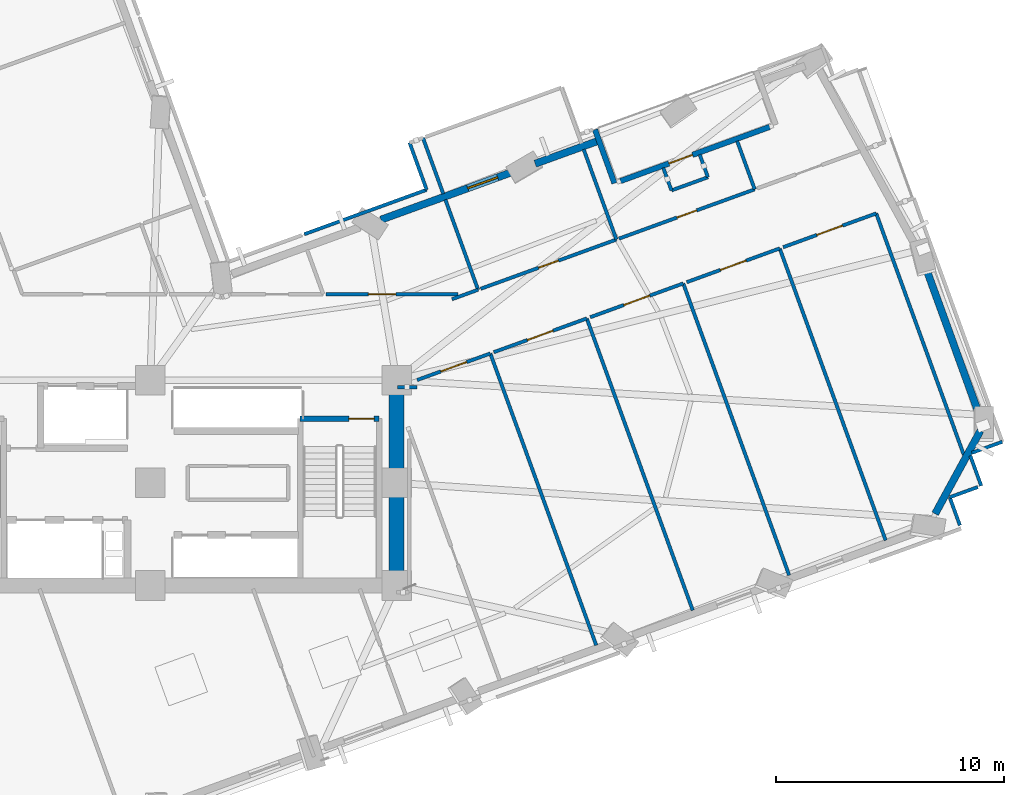
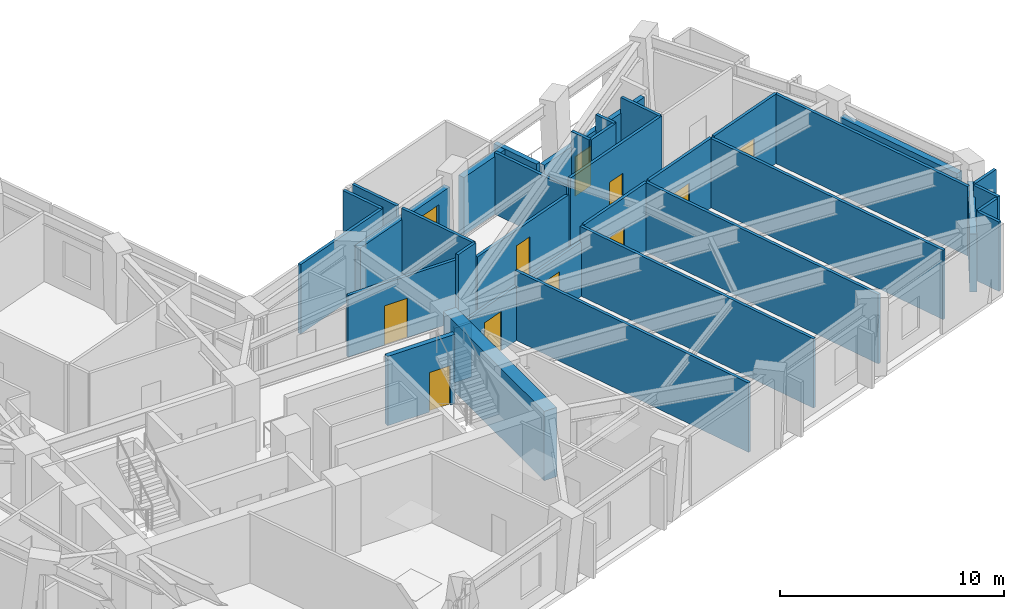
# One storey, part 11 of 17: 36 walls, 10 doors, 1 window, 11 openings.
"""IFC4 building model written with IfcOpenShell, lengths in metres."""

from ifc_helpers import new_model, si_unit, direction, frame, frame_2d, origin, place, context, subcontext, project, spatial, rectangle, extrude, material, layer, layer_set, type_object, element, fill, save


model = new_model("IFC4")

# Units and contexts
model_context = context("Model", 3, precision=1e-05, world=origin(), true_north=direction((0.0, 1.0)))
body_context = subcontext(model_context, "Body", "Model", "MODEL_VIEW")
ifc_project = project(units=[si_unit("LENGTHUNIT", "METRE"), si_unit("AREAUNIT", "SQUARE_METRE"), si_unit("VOLUMEUNIT", "CUBIC_METRE"), si_unit("PLANEANGLEUNIT", "RADIAN"), si_unit("MASSUNIT", "GRAM", prefix="KILO")], contexts=[model_context])

# Site, building, storey
site_placement = place(None, origin())
site = spatial("IfcSite", under=ifc_project, at=site_placement, CompositionType="ELEMENT")
building_placement = place(site_placement, origin())
building = spatial("IfcBuilding", under=site, at=building_placement, Name="Gaonmaruhae Medical Tower", CompositionType="ELEMENT")
storey_placement = place(building_placement, frame((0.0, 0.0, 108.39990234375)))
storey = spatial("IfcBuildingStorey", under=building, at=storey_placement, Name="L25", CompositionType="ELEMENT", Elevation=108.39990234375)

# Wall
ifc_material_1 = material(Name="Concrete C60/75", Category="concrete")
ifc_layer_1 = layer(ifc_material_1, 0.64990234375)
ifc_layer_set_1 = layer_set([ifc_layer_1], Name="Concrete C60/75")
wall_type_1 = type_object("IfcWallType", Name="CW-650 Zone 2 Core Shear Wall", PredefinedType="SHEAR", material=ifc_layer_set_1)
wall_1_placement = place(storey_placement, frame((35.60009765625, 7.800048828125, 0.0), z_axis=(0.0, 0.0, 1.0), x_axis=(0.0, 1.0, 0.0)))
element("IfcWall", 1, at=wall_1_placement, inside=storey, type_object=wall_type_1, Name="L25 Core Shear Wall CSW-E1", PredefinedType="SHEAR", context=body_context, shape_type="SweptSolid", body=[
    extrude(rectangle(XDim=9.0, YDim=0.64990234375, at=frame_2d((4.5, 0.0))), origin(), (0.0, 0.0, 1.0), 3.780029296875),
])

# Wall, opening, door
ifc_material_2 = material(Name="Precast concrete C45/55", Category="concrete")
ifc_layer_2 = layer(ifc_material_2, 0.239990234375)
ifc_layer_set_2 = layer_set([ifc_layer_2], Name="Precast concrete C45/55")
wall_type_2 = type_object("IfcWallType", Name="EW-240 Ribbon & Shelter Insulated Precast Wall", PredefinedType="SOLIDWALL", material=ifc_layer_set_2)
wall_2_placement = place(storey_placement, frame((45.4169921875, 25.5361328125, 0.0), z_axis=(0.0, 0.0, 1.0), x_axis=(0.939988887758, 0.341205056955, 0.0)))
wall_2 = element("IfcWall", 2, at=wall_2_placement, inside=storey, type_object=wall_type_2, Name="L25 Recessed Terrace Enclosure Wall TERB", PredefinedType="SOLIDWALL", context=body_context, shape_type="SweptSolid", body=[
    extrude(rectangle(XDim=6.9599609375, YDim=0.239990234375, at=frame_2d((3.47998046875, 0.0))), origin(), (0.0, 0.0, 1.0), 2.945068359375),
])
opening_1_placement = place(wall_2_placement, frame((2.2626953125, 0.0, 0.0)))
opening_1 = element("IfcOpeningElement", 3, at=opening_1_placement, cuts=wall_2, Name="Opening TD-01", PredefinedType="OPENING", context=body_context, shape_type="SweptSolid", body=[
    extrude(rectangle(XDim=1.10009765625, YDim=2.14990234375, at=frame_2d((0.550048828125, 1.074951171875))), frame((0.0, 0.1298828125, 0.0), z_axis=(0.0, -1.0, 0.0), x_axis=(1.0, 0.0, 0.0)), (0.0, 0.0, 1.0), 0.260009765625),
])
ifc_material_3 = material(Name="Anodised aluminium and toughened safety glass", Category="aluminium")
door_type_1 = type_object("IfcDoorType", Name="TD-01 Terrace & Sky Garden Glazed Door 1100x2150", OperationType="NOTDEFINED", PredefinedType="DOOR", material=ifc_material_3)
door_1_placement = place(opening_1_placement, origin())
door_1 = element("IfcDoor", 4, at=door_1_placement, inside=storey, type_object=door_type_1, Name="L25 Outdoor Terrace Access Door SLB-L25-TER", OperationType="SINGLE_SWING_LEFT", OverallHeight=2.14990234375, OverallWidth=1.10009765625, PredefinedType="DOOR", context=body_context, shape_type="SweptSolid", body=[
    extrude(rectangle(XDim=1.10009765625, YDim=2.14990234375, at=frame_2d((0.550048828125, 1.074951171875))), frame((0.0, 0.02490234375, 0.0), z_axis=(0.0, -1.0, 0.0), x_axis=(1.0, 0.0, 0.0)), (0.0, 0.0, 1.0), 0.050048828125),
])
fill(opening_1, door_1)

# Walls
wall_3_placement = place(storey_placement, frame((44.30078125, 27.79052734375, 0.0), z_axis=(0.0, 0.0, 1.0), x_axis=(0.341225482367, -0.939981473319, 0.0)))
element("IfcWall", 5, at=wall_3_placement, inside=storey, type_object=wall_type_2, Name="L25 Recessed Terrace Enclosure Wall TERL", PredefinedType="SOLIDWALL", context=body_context, shape_type="SweptSolid", body=[
    extrude(rectangle(XDim=2.5, YDim=0.239990234375, at=frame_2d((1.25, 0.0))), origin(), (0.0, 0.0, 1.0), 3.1650390625),
])
ifc_layer_3 = layer(ifc_material_2, 0.320068359375)
ifc_layer_set_3 = layer_set([ifc_layer_3], Name="Precast concrete C45/55")
wall_type_3 = type_object("IfcWallType", Name="EW-320 Lower Precast Masonry-Frame Facade Wall", PredefinedType="SOLIDWALL", material=ifc_layer_set_3)
wall_4_placement = place(storey_placement, frame((61.200927734375, 14.586669921875, 0.0), z_axis=(0.0, 0.0, 1.0), x_axis=(-0.478691175665, -0.877983347417, 0.0)))
element("IfcWall", 6, at=wall_4_placement, inside=storey, type_object=wall_type_3, Name="L25 Precast Masonry-Frame Wall S07-E01", PredefinedType="SOLIDWALL", context=body_context, shape_type="SweptSolid", body=[
    extrude(rectangle(XDim=4.14501953125, YDim=0.320068359375, at=frame_2d((2.072509765625, 0.0))), origin(), (0.0, 0.0, 1.0), 3.1650390625),
])
wall_5_placement = place(storey_placement, frame((58.76318359375, 21.85986328125, 0.0), z_axis=(0.0, 0.0, 1.0), x_axis=(0.341195615614, -0.939992314802, 0.0)))
element("IfcWall", 7, at=wall_5_placement, inside=storey, type_object=wall_type_3, Name="L25 Precast Masonry-Frame Wall E01-E02", PredefinedType="SOLIDWALL", context=body_context, shape_type="SweptSolid", body=[
    extrude(rectangle(XDim=6.83984375, YDim=0.320068359375, at=frame_2d((3.419921875, 0.0))), origin(), (0.0, 0.0, 1.0), 3.1650390625),
])
wall_6_placement = place(storey_placement, frame((41.67724609375, 26.295654296875, 0.0), z_axis=(0.0, 0.0, 1.0), x_axis=(0.940003028964, 0.341166096701, 0.0)))
element("IfcWall", 8, at=wall_6_placement, inside=storey, type_object=wall_type_3, Name="L25 Precast Masonry-Frame Wall EN01-EN02", PredefinedType="SOLIDWALL", context=body_context, shape_type="SweptSolid", body=[
    extrude(rectangle(XDim=2.9560546875, YDim=0.320068359375, at=frame_2d((1.47802734375, 0.0))), origin(), (0.0, 0.0, 1.0), 3.14501953125),
])

# Wall, opening, window
wall_7_placement = place(storey_placement, frame((34.91357421875, 23.840576171875, 0.0), z_axis=(0.0, 0.0, 1.0), x_axis=(0.939995247313, 0.34118753645, 0.0)))
wall_7 = element("IfcWall", 9, at=wall_7_placement, inside=storey, type_object=wall_type_3, Name="L25 Precast Masonry-Frame Wall EN02-EN03", PredefinedType="SOLIDWALL", context=body_context, shape_type="SweptSolid", body=[
    extrude(rectangle(XDim=6.211181640625, YDim=0.320068359375, at=frame_2d((3.10546875, 0.0))), origin(), (0.0, 0.0, 1.0), 3.1650390625),
])
opening_2_placement = place(wall_7_placement, frame((4.04833984375, 0.0, 0.75)))
opening_2 = element("IfcOpeningElement", 10, at=opening_2_placement, cuts=wall_7, Name="Opening WN-03", PredefinedType="OPENING", context=body_context, shape_type="SweptSolid", body=[
    extrude(rectangle(XDim=1.39990234375, YDim=1.85009765625, at=frame_2d((0.699951171875, 0.925048828125))), frame((0.0, 0.169921875, 0.0), z_axis=(0.0, -1.0, 0.0), x_axis=(1.0, 0.0, 0.0)), (0.0, 0.0, 1.0), 0.340087890625),
])
ifc_material_4 = material(Name="Anodised aluminium and Low-E double glazing", Category="aluminium")
window_type = type_object("IfcWindowType", Name="WN-03 Isolation Ward Punched Window 1400x1850", PartitioningType="SINGLE_PANEL", PredefinedType="WINDOW", material=ifc_material_4)
window_placement = place(opening_2_placement, origin())
window = element("IfcWindow", 11, at=window_placement, inside=storey, type_object=window_type, Name="L25 Modular Facade Window EN02", OverallHeight=1.85009765625, OverallWidth=1.39990234375, PartitioningType="SINGLE_PANEL", PredefinedType="WINDOW", context=body_context, shape_type="SweptSolid", body=[
    extrude(rectangle(XDim=1.39990234375, YDim=1.85009765625, at=frame_2d((0.699951171875, 0.925048828125))), frame((0.0, 0.030029296875, 0.0), z_axis=(0.0, -1.0, 0.0), x_axis=(1.0, 0.0, 0.0)), (0.0, 0.0, 1.0), 0.06005859375),
])
fill(opening_2, window)

# Wall
ifc_material_5 = material(Name="Gypsum board partition", Category="gypsum")
ifc_layer_4 = layer(ifc_material_5, 0.14990234375)
ifc_layer_set_4 = layer_set([ifc_layer_4], Name="Gypsum board partition")
wall_type_4 = type_object("IfcWallType", Name="PW-150 Rated Clinical Corridor Partition", PredefinedType="PARTITIONING", material=ifc_layer_set_4)
wall_8_placement = place(storey_placement, frame((35.631103515625, 16.493896484375, 0.0), z_axis=(0.0, 0.0, 1.0), x_axis=(0.999975329499, 0.007024271772, 0.0)))
element("IfcWall", 12, at=wall_8_placement, inside=storey, type_object=wall_type_4, Name="L25 Interior Partition L25-SUP07-15", PredefinedType="PARTITIONING", context=body_context, shape_type="SweptSolid", body=[
    extrude(rectangle(XDim=0.868896484375, YDim=0.14990234375, at=frame_2d((0.4345703125, 0.0))), origin(), (0.0, 0.0, 1.0), 2.965087890625),
])

# Wall, opening, door
wall_9_placement = place(storey_placement, frame((36.5, 16.81005859375, 0.0), z_axis=(0.0, 0.0, 1.0), x_axis=(0.94000198953, 0.341168960605, 0.0)))
wall_9 = element("IfcWall", 13, at=wall_9_placement, inside=storey, type_object=wall_type_4, Name="L25 Interior Partition L25-SUP07-16", PredefinedType="PARTITIONING", context=body_context, shape_type="SweptSolid", body=[
    extrude(rectangle(XDim=3.414794921875, YDim=0.14990234375, at=frame_2d((1.70751953125, 0.0))), origin(), (0.0, 0.0, 1.0), 2.965087890625),
])
opening_3_placement = place(wall_9_placement, frame((1.107421875, 0.0, 0.0)))
opening_3 = element("IfcOpeningElement", 14, at=opening_3_placement, cuts=wall_9, Name="Opening CD-02", PredefinedType="OPENING", context=body_context, shape_type="SweptSolid", body=[
    extrude(rectangle(XDim=1.199951171875, YDim=2.14990234375, at=frame_2d((0.60009765625, 1.074951171875))), frame((0.0, 0.0849609375, 0.0), z_axis=(0.0, -1.0, 0.0), x_axis=(1.0, 0.0, 0.0)), (0.0, 0.0, 1.0), 0.169921875),
])
ifc_material_6 = material(Name="Antimicrobial laminate timber fire door", Category="wood")
door_type_2 = type_object("IfcDoorType", Name="CD-02 Clinical Treatment & Procedure Door 1200x2150", OperationType="NOTDEFINED", PredefinedType="DOOR", material=ifc_material_6)
door_2_placement = place(opening_3_placement, origin())
door_2 = element("IfcDoor", 15, at=door_2_placement, inside=storey, type_object=door_type_2, Name="L25 Clinical Biomedical Charting Office Door", OperationType="SINGLE_SWING_RIGHT", OverallHeight=2.14990234375, OverallWidth=1.199951171875, PredefinedType="DOOR", context=body_context, shape_type="SweptSolid", body=[
    extrude(rectangle(XDim=1.199951171875, YDim=2.14990234375, at=frame_2d((0.60009765625, 1.074951171875))), frame((0.0, 0.02490234375, 0.0), z_axis=(0.0, -1.0, 0.0), x_axis=(1.0, 0.0, 0.0)), (0.0, 0.0, 1.0), 0.050048828125),
])
fill(opening_3, door_2)

# Wall
wall_10_placement = place(storey_placement, frame((39.7099609375, 17.97509765625, 0.0), z_axis=(0.0, 0.0, 1.0), x_axis=(0.341169968064, -0.940001623877, 0.0)))
element("IfcWall", 16, at=wall_10_placement, inside=storey, type_object=wall_type_4, Name="L25 Interior Partition L25-SUP07-17", PredefinedType="PARTITIONING", context=body_context, shape_type="SweptSolid", body=[
    extrude(rectangle(XDim=13.614990234375, YDim=0.14990234375, at=frame_2d((6.8076171875, 0.0))), origin(), (0.0, 0.0, 1.0), 3.780029296875),
])

# Wall, opening, door
wall_11_placement = place(storey_placement, frame((39.861083984375, 18.030029296875, 0.0), z_axis=(0.0, 0.0, 1.0), x_axis=(0.939960863027, 0.341282252656, 0.0)))
wall_11 = element("IfcWall", 17, at=wall_11_placement, inside=storey, type_object=wall_type_4, Name="L25 Interior Partition L25-SUP08-19", PredefinedType="PARTITIONING", context=body_context, shape_type="SweptSolid", body=[
    extrude(rectangle(XDim=4.33935546875, YDim=0.14990234375, at=frame_2d((2.169677734375, 0.0))), origin(), (0.0, 0.0, 1.0), 2.965087890625),
])
opening_4_placement = place(wall_11_placement, frame((1.56982421875, 0.0, 0.0)))
opening_4 = element("IfcOpeningElement", 18, at=opening_4_placement, cuts=wall_11, Name="Opening CD-02", PredefinedType="OPENING", context=body_context, shape_type="SweptSolid", body=[
    extrude(rectangle(XDim=1.199951171875, YDim=2.14990234375, at=frame_2d((0.60009765625, 1.074951171875))), frame((0.0, 0.0849609375, 0.0), z_axis=(0.0, -1.0, 0.0), x_axis=(1.0, 0.0, 0.0)), (0.0, 0.0, 1.0), 0.169921875),
])
door_3_placement = place(opening_4_placement, origin())
door_3 = element("IfcDoor", 19, at=door_3_placement, inside=storey, type_object=door_type_2, Name="L25 Clinical Biomedical Charting Office Door", OperationType="SINGLE_SWING_LEFT", OverallHeight=2.14990234375, OverallWidth=1.199951171875, PredefinedType="DOOR", context=body_context, shape_type="SweptSolid", body=[
    extrude(rectangle(XDim=1.199951171875, YDim=2.14990234375, at=frame_2d((0.60009765625, 1.074951171875))), frame((0.0, 0.02490234375, 0.0), z_axis=(0.0, -1.0, 0.0), x_axis=(1.0, 0.0, 0.0)), (0.0, 0.0, 1.0), 0.050048828125),
])
fill(opening_4, door_3)

# Wall
wall_12_placement = place(storey_placement, frame((43.93994140625, 19.510986328125, 0.0), z_axis=(0.0, 0.0, 1.0), x_axis=(0.341233344025, -0.939978619398, 0.0)))
element("IfcWall", 20, at=wall_12_placement, inside=storey, type_object=wall_type_4, Name="L25 Interior Partition L25-SUP08-20", PredefinedType="PARTITIONING", context=body_context, shape_type="SweptSolid", body=[
    extrude(rectangle(XDim=13.615234375, YDim=0.14990234375, at=frame_2d((6.8076171875, 0.0))), origin(), (0.0, 0.0, 1.0), 3.780029296875),
])

# Wall, opening, door
wall_13_placement = place(storey_placement, frame((44.091064453125, 19.56494140625, 0.0), z_axis=(0.0, 0.0, 1.0), x_axis=(0.939960863027, 0.341282252656, 0.0)))
wall_13 = element("IfcWall", 21, at=wall_13_placement, inside=storey, type_object=wall_type_4, Name="L25 Interior Partition L25-SUP09-22", PredefinedType="PARTITIONING", context=body_context, shape_type="SweptSolid", body=[
    extrude(rectangle(XDim=4.33935546875, YDim=0.14990234375, at=frame_2d((2.169677734375, 0.0))), origin(), (0.0, 0.0, 1.0), 3.780029296875),
])
opening_5_placement = place(wall_13_placement, frame((1.56982421875, 0.0, 0.0)))
opening_5 = element("IfcOpeningElement", 22, at=opening_5_placement, cuts=wall_13, Name="Opening CD-02", PredefinedType="OPENING", context=body_context, shape_type="SweptSolid", body=[
    extrude(rectangle(XDim=1.199951171875, YDim=2.14990234375, at=frame_2d((0.60009765625, 1.074951171875))), frame((0.0, 0.0849609375, 0.0), z_axis=(0.0, -1.0, 0.0), x_axis=(1.0, 0.0, 0.0)), (0.0, 0.0, 1.0), 0.169921875),
])
door_4_placement = place(opening_5_placement, origin())
door_4 = element("IfcDoor", 23, at=door_4_placement, inside=storey, type_object=door_type_2, Name="L25 Clinical Biomedical Charting Office Door", OperationType="SINGLE_SWING_LEFT", OverallHeight=2.14990234375, OverallWidth=1.199951171875, PredefinedType="DOOR", context=body_context, shape_type="SweptSolid", body=[
    extrude(rectangle(XDim=1.199951171875, YDim=2.14990234375, at=frame_2d((0.60009765625, 1.074951171875))), frame((0.0, 0.02490234375, 0.0), z_axis=(0.0, -1.0, 0.0), x_axis=(1.0, 0.0, 0.0)), (0.0, 0.0, 1.0), 0.050048828125),
])
fill(opening_5, door_4)

# Wall
wall_14_placement = place(storey_placement, frame((48.169921875, 21.0458984375, 0.0), z_axis=(0.0, 0.0, 1.0), x_axis=(0.341175718881, -0.93999953662, 0.0)))
element("IfcWall", 24, at=wall_14_placement, inside=storey, type_object=wall_type_4, Name="L25 Interior Partition L25-SUP09-23", PredefinedType="PARTITIONING", context=body_context, shape_type="SweptSolid", body=[
    extrude(rectangle(XDim=13.61474609375, YDim=0.14990234375, at=frame_2d((6.807373046875, 0.0))), origin(), (0.0, 0.0, 1.0), 3.780029296875),
])

# Wall, opening, door
wall_15_placement = place(storey_placement, frame((48.321044921875, 21.10107421875, 0.0), z_axis=(0.0, 0.0, 1.0), x_axis=(0.940033040483, 0.341083395667, 0.0)))
wall_15 = element("IfcWall", 25, at=wall_15_placement, inside=storey, type_object=wall_type_4, Name="L25 Interior Partition L25-SUP10-25", PredefinedType="PARTITIONING", context=body_context, shape_type="SweptSolid", body=[
    extrude(rectangle(XDim=4.339111328125, YDim=0.14990234375, at=frame_2d((2.16943359375, 0.0))), origin(), (0.0, 0.0, 1.0), 3.780029296875),
])
opening_6_placement = place(wall_15_placement, frame((1.569580078125, 0.0, 0.0)))
opening_6 = element("IfcOpeningElement", 26, at=opening_6_placement, cuts=wall_15, Name="Opening CD-02", PredefinedType="OPENING", context=body_context, shape_type="SweptSolid", body=[
    extrude(rectangle(XDim=1.199951171875, YDim=2.14990234375, at=frame_2d((0.60009765625, 1.074951171875))), frame((0.0, 0.0849609375, 0.0), z_axis=(0.0, -1.0, 0.0), x_axis=(1.0, 0.0, 0.0)), (0.0, 0.0, 1.0), 0.169921875),
])
door_5_placement = place(opening_6_placement, origin())
door_5 = element("IfcDoor", 27, at=door_5_placement, inside=storey, type_object=door_type_2, Name="L25 Clinical Biomedical Charting Office Door", OperationType="SINGLE_SWING_LEFT", OverallHeight=2.14990234375, OverallWidth=1.199951171875, PredefinedType="DOOR", context=body_context, shape_type="SweptSolid", body=[
    extrude(rectangle(XDim=1.199951171875, YDim=2.14990234375, at=frame_2d((0.60009765625, 1.074951171875))), frame((0.0, 0.02490234375, 0.0), z_axis=(0.0, -1.0, 0.0), x_axis=(1.0, 0.0, 0.0)), (0.0, 0.0, 1.0), 0.050048828125),
])
fill(opening_6, door_5)

# Wall
wall_16_placement = place(storey_placement, frame((52.39990234375, 22.5810546875, 0.0), z_axis=(0.0, 0.0, 1.0), x_axis=(0.341169968064, -0.940001623877, 0.0)))
element("IfcWall", 28, at=wall_16_placement, inside=storey, type_object=wall_type_4, Name="L25 Interior Partition L25-SUP10-26", PredefinedType="PARTITIONING", context=body_context, shape_type="SweptSolid", body=[
    extrude(rectangle(XDim=13.614990234375, YDim=0.14990234375, at=frame_2d((6.8076171875, 0.0))), origin(), (0.0, 0.0, 1.0), 3.780029296875),
])

# Wall, opening, door
wall_17_placement = place(storey_placement, frame((52.551025390625, 22.635986328125, 0.0), z_axis=(0.0, 0.0, 1.0), x_axis=(0.939960863027, 0.341282252656, 0.0)))
wall_17 = element("IfcWall", 29, at=wall_17_placement, inside=storey, type_object=wall_type_4, Name="L25 Interior Partition L25-SUP11-28", PredefinedType="PARTITIONING", context=body_context, shape_type="SweptSolid", body=[
    extrude(rectangle(XDim=4.33935546875, YDim=0.14990234375, at=frame_2d((2.169677734375, 0.0))), origin(), (0.0, 0.0, 1.0), 3.780029296875),
])
opening_7_placement = place(wall_17_placement, frame((1.56982421875, 0.0, 0.0)))
opening_7 = element("IfcOpeningElement", 30, at=opening_7_placement, cuts=wall_17, Name="Opening CD-02", PredefinedType="OPENING", context=body_context, shape_type="SweptSolid", body=[
    extrude(rectangle(XDim=1.199951171875, YDim=2.14990234375, at=frame_2d((0.60009765625, 1.074951171875))), frame((0.0, 0.0849609375, 0.0), z_axis=(0.0, -1.0, 0.0), x_axis=(1.0, 0.0, 0.0)), (0.0, 0.0, 1.0), 0.169921875),
])
door_6_placement = place(opening_7_placement, origin())
door_6 = element("IfcDoor", 31, at=door_6_placement, inside=storey, type_object=door_type_2, Name="L25 Clinical Biomedical Charting Office Door", OperationType="SINGLE_SWING_LEFT", OverallHeight=2.14990234375, OverallWidth=1.199951171875, PredefinedType="DOOR", context=body_context, shape_type="SweptSolid", body=[
    extrude(rectangle(XDim=1.199951171875, YDim=2.14990234375, at=frame_2d((0.60009765625, 1.074951171875))), frame((0.0, 0.02490234375, 0.0), z_axis=(0.0, -1.0, 0.0), x_axis=(1.0, 0.0, 0.0)), (0.0, 0.0, 1.0), 0.050048828125),
])
fill(opening_7, door_6)

# Walls
wall_18_placement = place(storey_placement, frame((56.6298828125, 24.116943359375, 0.0), z_axis=(0.0, 0.0, 1.0), x_axis=(0.341191171741, -0.939993927813, 0.0)))
element("IfcWall", 32, at=wall_18_placement, inside=storey, type_object=wall_type_4, Name="L25 Interior Partition L25-SUP11-29", PredefinedType="PARTITIONING", context=body_context, shape_type="SweptSolid", body=[
    extrude(rectangle(XDim=11.2607421875, YDim=0.14990234375, at=frame_2d((5.63037109375, 0.0))), origin(), (0.0, 0.0, 1.0), 3.780029296875),
])
wall_19_placement = place(storey_placement, frame((61.0869140625, 12.117919921875, 0.0), z_axis=(0.0, 0.0, 1.0), x_axis=(-0.939787985584, -0.341758016953, 0.0)))
element("IfcWall", 33, at=wall_19_placement, inside=storey, type_object=wall_type_4, Name="L25 Interior Partition L25-SUP11-31", PredefinedType="PARTITIONING", context=body_context, shape_type="SweptSolid", body=[
    extrude(rectangle(XDim=1.310791015625, YDim=0.14990234375, at=frame_2d((0.6552734375, 0.0))), origin(), (0.0, 0.0, 1.0), 3.780029296875),
])
wall_20_placement = place(storey_placement, frame((59.85498046875, 11.669921875, 0.0), z_axis=(0.0, 0.0, 1.0), x_axis=(0.341338890117, -0.93994029709, 0.0)))
element("IfcWall", 34, at=wall_20_placement, inside=storey, type_object=wall_type_4, Name="L25 Interior Partition L25-SUP11-32", PredefinedType="PARTITIONING", context=body_context, shape_type="SweptSolid", body=[
    extrude(rectangle(XDim=1.3095703125, YDim=0.14990234375, at=frame_2d((0.65478515625, 0.0))), origin(), (0.0, 0.0, 1.0), 3.780029296875),
])

# Wall, opening, door
wall_21_placement = place(storey_placement, frame((38.283935546875, 20.580078125, 0.0), z_axis=(0.0, 0.0, 1.0), x_axis=(-1.0, 0.0, 0.0)))
wall_21 = element("IfcWall", 35, at=wall_21_placement, inside=storey, type_object=wall_type_4, Name="L25 Interior Partition L25-IE03-72", PredefinedType="PARTITIONING", context=body_context, shape_type="SweptSolid", body=[
    extrude(rectangle(XDim=5.77587890625, YDim=0.14990234375, at=frame_2d((2.887939453125, 0.0))), origin(), (0.0, 0.0, 1.0), 3.364990234375),
])
opening_8_placement = place(wall_21_placement, frame((2.71630859375, 0.0, 0.0)))
opening_8 = element("IfcOpeningElement", 36, at=opening_8_placement, cuts=wall_21, Name="Opening CD-02", PredefinedType="OPENING", context=body_context, shape_type="SweptSolid", body=[
    extrude(rectangle(XDim=1.199951171875, YDim=2.14990234375, at=frame_2d((0.60009765625, 1.074951171875))), frame((0.0, 0.0849609375, 0.0), z_axis=(0.0, -1.0, 0.0), x_axis=(1.0, 0.0, 0.0)), (0.0, 0.0, 1.0), 0.169921875),
])
door_7_placement = place(opening_8_placement, origin())
door_7 = element("IfcDoor", 37, at=door_7_placement, inside=storey, type_object=door_type_2, Name="L25 Clean Medication Preparation Room Door", OperationType="SINGLE_SWING_RIGHT", OverallHeight=2.14990234375, OverallWidth=1.199951171875, PredefinedType="DOOR", context=body_context, shape_type="SweptSolid", body=[
    extrude(rectangle(XDim=1.199951171875, YDim=2.14990234375, at=frame_2d((0.60009765625, 1.074951171875))), frame((0.0, 0.02490234375, 0.0), z_axis=(0.0, -1.0, 0.0), x_axis=(1.0, 0.0, 0.0)), (0.0, 0.0, 1.0), 0.050048828125),
])
fill(opening_8, door_7)

# Walls
wall_22_placement = place(storey_placement, frame((31.553955078125, 23.2060546875, 0.0), z_axis=(0.0, 0.0, 1.0), x_axis=(0.939991879214, 0.341196815654, 0.0)))
element("IfcWall", 38, at=wall_22_placement, inside=storey, type_object=wall_type_4, Name="L25 Interior Partition L25-IE03-73", PredefinedType="PARTITIONING", context=body_context, shape_type="SweptSolid", body=[
    extrude(rectangle(XDim=5.70654296875, YDim=0.14990234375, at=frame_2d((2.853271484375, 0.0))), origin(), (0.0, 0.0, 1.0), 3.780029296875),
])
wall_23_placement = place(storey_placement, frame((36.91796875, 25.153076171875, 0.0), z_axis=(0.0, 0.0, 1.0), x_axis=(-0.341350985007, 0.939935904748, 0.0)))
element("IfcWall", 39, at=wall_23_placement, inside=storey, type_object=wall_type_4, Name="L25 Interior Partition L25-IE03-74", PredefinedType="PARTITIONING", context=body_context, shape_type="SweptSolid", body=[
    extrude(rectangle(XDim=2.199951171875, YDim=0.14990234375, at=frame_2d((1.10009765625, 0.0))), origin(), (0.0, 0.0, 1.0), 3.780029296875),
])
wall_24_placement = place(storey_placement, frame((36.7548828125, 27.43505859375, 0.0), z_axis=(0.0, 0.0, 1.0), x_axis=(0.341158268685, -0.940005870039, 0.0)))
element("IfcWall", 40, at=wall_24_placement, inside=storey, type_object=wall_type_4, Name="L25 Interior Partition L25-IE03-76", PredefinedType="PARTITIONING", context=body_context, shape_type="SweptSolid", body=[
    extrude(rectangle(XDim=2.614990234375, YDim=0.14990234375, at=frame_2d((1.3076171875, 0.0))), origin(), (0.0, 0.0, 1.0), 3.780029296875),
])
wall_25_placement = place(storey_placement, frame((37.739013671875, 24.722900390625, 0.0), z_axis=(0.0, 0.0, 1.0), x_axis=(0.341248910369, -0.93997296832, 0.0)))
element("IfcWall", 41, at=wall_25_placement, inside=storey, type_object=wall_type_4, Name="L25 Interior Partition L25-IE03-77", PredefinedType="PARTITIONING", context=body_context, shape_type="SweptSolid", body=[
    extrude(rectangle(XDim=4.205322265625, YDim=0.14990234375, at=frame_2d((2.1025390625, 0.0))), origin(), (0.0, 0.0, 1.0), 3.780029296875),
])
wall_26_placement = place(storey_placement, frame((39.174072265625, 20.77001953125, 0.0), z_axis=(0.0, 0.0, 1.0), x_axis=(-0.940050872134, -0.341034247253, 0.0)))
element("IfcWall", 42, at=wall_26_placement, inside=storey, type_object=wall_type_4, Name="L25 Interior Partition L25-IE03-78", PredefinedType="PARTITIONING", context=body_context, shape_type="SweptSolid", body=[
    extrude(rectangle(XDim=1.217041015625, YDim=0.14990234375, at=frame_2d((0.6083984375, 0.0))), origin(), (0.0, 0.0, 1.0), 3.780029296875),
])

# Wall, opening, door
wall_27_placement = place(storey_placement, frame((45.239013671875, 22.970947265625, 0.0), z_axis=(0.0, 0.0, 1.0), x_axis=(-0.940017254775, -0.341126898273, 0.0)))
wall_27 = element("IfcWall", 43, at=wall_27_placement, inside=storey, type_object=wall_type_4, Name="L25 Interior Partition L25-IE04-79", PredefinedType="PARTITIONING", context=body_context, shape_type="SweptSolid", body=[
    extrude(rectangle(XDim=6.331787109375, YDim=0.14990234375, at=frame_2d((3.166015625, 0.0))), origin(), (0.0, 0.0, 1.0), 2.945068359375),
])
opening_9_placement = place(wall_27_placement, frame((2.705810546875, 0.0, 0.0)))
opening_9 = element("IfcOpeningElement", 44, at=opening_9_placement, cuts=wall_27, Name="Opening UD-01", PredefinedType="OPENING", context=body_context, shape_type="SweptSolid", body=[
    extrude(rectangle(XDim=0.919921875, YDim=2.10009765625, at=frame_2d((0.4599609375, 1.050048828125))), frame((0.0, 0.0849609375, 0.0), z_axis=(0.0, -1.0, 0.0), x_axis=(1.0, 0.0, 0.0)), (0.0, 0.0, 1.0), 0.169921875),
])
ifc_material_7 = material(Name="Powder-coated steel utility door", Category="steel")
door_type_3 = type_object("IfcDoorType", Name="UD-01 Toilet, Utility & Housekeeping Door 920x2100", OperationType="NOTDEFINED", PredefinedType="DOOR", material=ifc_material_7)
door_8_placement = place(opening_9_placement, origin())
door_8 = element("IfcDoor", 45, at=door_8_placement, inside=storey, type_object=door_type_3, Name="L25 Accessible Public Toilet Door", OperationType="SINGLE_SWING_LEFT", OverallHeight=2.10009765625, OverallWidth=0.919921875, PredefinedType="DOOR", context=body_context, shape_type="SweptSolid", body=[
    extrude(rectangle(XDim=0.919921875, YDim=2.10009765625, at=frame_2d((0.4599609375, 1.050048828125))), frame((0.0, 0.02490234375, 0.0), z_axis=(0.0, -1.0, 0.0), x_axis=(1.0, 0.0, 0.0)), (0.0, 0.0, 1.0), 0.050048828125),
])
fill(opening_9, door_8)

# Walls
wall_28_placement = place(storey_placement, frame((43.803955078125, 26.924072265625, 0.0), z_axis=(0.0, 0.0, 1.0), x_axis=(0.341230289232, -0.939979728351, 0.0)))
element("IfcWall", 46, at=wall_28_placement, inside=storey, type_object=wall_type_4, Name="L25 Interior Partition L25-IE04-82", PredefinedType="PARTITIONING", context=body_context, shape_type="SweptSolid", body=[
    extrude(rectangle(XDim=4.20556640625, YDim=0.14990234375, at=frame_2d((2.102783203125, 0.0))), origin(), (0.0, 0.0, 1.0), 3.364990234375),
])
wall_29_placement = place(storey_placement, frame((47.2939453125, 26.115966796875, 0.0), z_axis=(0.0, 0.0, 1.0), x_axis=(0.341538545956, -0.93986776816, 0.0)))
element("IfcWall", 47, at=wall_29_placement, inside=storey, type_object=wall_type_4, Name="L25 Interior Partition L25-IE05-83", PredefinedType="PARTITIONING", context=body_context, shape_type="SweptSolid", body=[
    extrude(rectangle(XDim=1.054443359375, YDim=0.14990234375, at=frame_2d((0.52734375, 0.0))), origin(), (0.0, 0.0, 1.0), 3.780029296875),
])
wall_30_placement = place(storey_placement, frame((47.654052734375, 25.125, 0.0), z_axis=(0.0, 0.0, 1.0), x_axis=(0.939977788085, 0.341235633994, 0.0)))
element("IfcWall", 48, at=wall_30_placement, inside=storey, type_object=wall_type_4, Name="L25 Interior Partition L25-IE05-84", PredefinedType="PARTITIONING", context=body_context, shape_type="SweptSolid", body=[
    extrude(rectangle(XDim=1.699951171875, YDim=0.14990234375, at=frame_2d((0.85009765625, 0.0))), origin(), (0.0, 0.0, 1.0), 3.780029296875),
])
wall_31_placement = place(storey_placement, frame((49.251953125, 25.705078125, 0.0), z_axis=(0.0, 0.0, 1.0), x_axis=(-0.341333980298, 0.939942080074, 0.0)))
element("IfcWall", 49, at=wall_31_placement, inside=storey, type_object=wall_type_4, Name="L25 Interior Partition L25-IE05-85", PredefinedType="PARTITIONING", context=body_context, shape_type="SweptSolid", body=[
    extrude(rectangle(XDim=1.05419921875, YDim=0.14990234375, at=frame_2d((0.527099609375, 0.0))), origin(), (0.0, 0.0, 1.0), 3.780029296875),
])
wall_32_placement = place(storey_placement, frame((50.533935546875, 27.2919921875, 0.0), z_axis=(0.0, 0.0, 1.0), x_axis=(0.34116904795, -0.940001957828, 0.0)))
element("IfcWall", 50, at=wall_32_placement, inside=storey, type_object=wall_type_4, Name="L25 Interior Partition L25-IE05-86", PredefinedType="PARTITIONING", context=body_context, shape_type="SweptSolid", body=[
    extrude(rectangle(XDim=2.254150390625, YDim=0.14990234375, at=frame_2d((1.126953125, 0.0))), origin(), (0.0, 0.0, 1.0), 3.780029296875),
])

# Wall, opening, door
wall_33_placement = place(storey_placement, frame((51.302978515625, 25.173095703125, 0.0), z_axis=(0.0, 0.0, 1.0), x_axis=(-0.939937453114, -0.341346721434, 0.0)))
wall_33 = element("IfcWall", 51, at=wall_33_placement, inside=storey, type_object=wall_type_4, Name="L25 Interior Partition L25-IE05-87", PredefinedType="PARTITIONING", context=body_context, shape_type="SweptSolid", body=[
    extrude(rectangle(XDim=6.331298828125, YDim=0.14990234375, at=frame_2d((3.16552734375, 0.0))), origin(), (0.0, 0.0, 1.0), 3.780029296875),
])
opening_10_placement = place(wall_33_placement, frame((2.70556640625, 0.0, 0.0)))
opening_10 = element("IfcOpeningElement", 52, at=opening_10_placement, cuts=wall_33, Name="Opening UD-01", PredefinedType="OPENING", context=body_context, shape_type="SweptSolid", body=[
    extrude(rectangle(XDim=0.919921875, YDim=2.10009765625, at=frame_2d((0.4599609375, 1.050048828125))), frame((0.0, 0.0849609375, 0.0), z_axis=(0.0, -1.0, 0.0), x_axis=(1.0, 0.0, 0.0)), (0.0, 0.0, 1.0), 0.169921875),
])
door_9_placement = place(opening_10_placement, origin())
door_9 = element("IfcDoor", 53, at=door_9_placement, inside=storey, type_object=door_type_3, Name="L25 Ward Housekeeping and Linen Store Door", OperationType="SINGLE_SWING_LEFT", OverallHeight=2.10009765625, OverallWidth=0.919921875, PredefinedType="DOOR", context=body_context, shape_type="SweptSolid", body=[
    extrude(rectangle(XDim=0.919921875, YDim=2.10009765625, at=frame_2d((0.4599609375, 1.050048828125))), frame((0.0, 0.02490234375, 0.0), z_axis=(0.0, -1.0, 0.0), x_axis=(1.0, 0.0, 0.0)), (0.0, 0.0, 1.0), 0.050048828125),
])
fill(opening_10, door_9)

# Walls
wall_34_placement = place(storey_placement, frame((60.758056640625, 13.491943359375, 0.0), z_axis=(0.0, 0.0, 1.0), x_axis=(0.341156620536, -0.940006468204, 0.0)))
element("IfcWall", 54, at=wall_34_placement, inside=storey, type_object=wall_type_4, Name="L25 Interior Partition L25-RM03-112", PredefinedType="PARTITIONING", context=body_context, shape_type="SweptSolid", body=[
    extrude(rectangle(XDim=1.404052734375, YDim=0.14990234375, at=frame_2d((0.7021484375, 0.0))), origin(), (0.0, 0.0, 1.0), 3.780029296875),
])
wall_35_placement = place(storey_placement, frame((62.1640625, 14.10400390625, 0.0), z_axis=(0.0, 0.0, 1.0), x_axis=(-0.93982848915, -0.341646617108, 0.0)))
element("IfcWall", 55, at=wall_35_placement, inside=storey, type_object=wall_type_4, Name="L25 Interior Partition L25-RM04-115", PredefinedType="PARTITIONING", context=body_context, shape_type="SweptSolid", body=[
    extrude(rectangle(XDim=1.4228515625, YDim=0.14990234375, at=frame_2d((0.71142578125, 0.0))), origin(), (0.0, 0.0, 1.0), 3.780029296875),
])

# Wall, opening, door
ifc_material_8 = material(Name="Concrete C50/60", Category="concrete")
ifc_layer_5 = layer(ifc_material_8, 0.239990234375)
ifc_layer_set_5 = layer_set([ifc_layer_5], Name="Concrete C50/60")
wall_type_5 = type_object("IfcWallType", Name="SW-240 Dogleg Stair Tight Shaft Wall", PredefinedType="SOLIDWALL", material=ifc_layer_set_5)
wall_36_placement = place(storey_placement, frame((31.3701171875, 15.1201171875, 0.0), z_axis=(0.0, 0.0, 1.0), x_axis=(1.0, 0.0, 0.0)))
wall_36 = element("IfcWall", 56, at=wall_36_placement, inside=storey, type_object=wall_type_5, Name="L25 ST-02 Stair Shaft Wall SHW-ST-02-N", PredefinedType="SOLIDWALL", context=body_context, shape_type="SweptSolid", body=[
    extrude(rectangle(XDim=3.4599609375, YDim=0.239990234375, at=frame_2d((1.72998046875, 0.0))), origin(), (0.0, 0.0, 1.0), 3.780029296875),
])
opening_11_placement = place(wall_36_placement, frame((2.139892578125, 0.0, 0.0)))
opening_11 = element("IfcOpeningElement", 57, at=opening_11_placement, cuts=wall_36, Name="Opening FD-01", PredefinedType="OPENING", context=body_context, shape_type="SweptSolid", body=[
    extrude(rectangle(XDim=1.10009765625, YDim=2.14990234375, at=frame_2d((0.550048828125, 1.074951171875))), frame((0.0, 0.1298828125, 0.0), z_axis=(0.0, -1.0, 0.0), x_axis=(1.0, 0.0, 0.0)), (0.0, 0.0, 1.0), 0.260009765625),
])
ifc_material_9 = material(Name="Powder-coated steel fire door", Category="steel")
door_type_4 = type_object("IfcDoorType", Name="FD-01 Escape Stair Protected Fire Door 1100x2150", OperationType="NOTDEFINED", PredefinedType="DOOR", material=ifc_material_9)
door_10_placement = place(opening_11_placement, origin())
door_10 = element("IfcDoor", 58, at=door_10_placement, inside=storey, type_object=door_type_4, Name="L25 ST-02 Protected Escape Stair Door", OperationType="SINGLE_SWING_RIGHT", OverallHeight=2.14990234375, OverallWidth=1.10009765625, PredefinedType="DOOR", context=body_context, shape_type="SweptSolid", body=[
    extrude(rectangle(XDim=1.10009765625, YDim=2.14990234375, at=frame_2d((0.550048828125, 1.074951171875))), frame((0.0, 0.02490234375, 0.0), z_axis=(0.0, -1.0, 0.0), x_axis=(1.0, 0.0, 0.0)), (0.0, 0.0, 1.0), 0.050048828125),
])
fill(opening_11, door_10)

save(model, "model.ifc")
